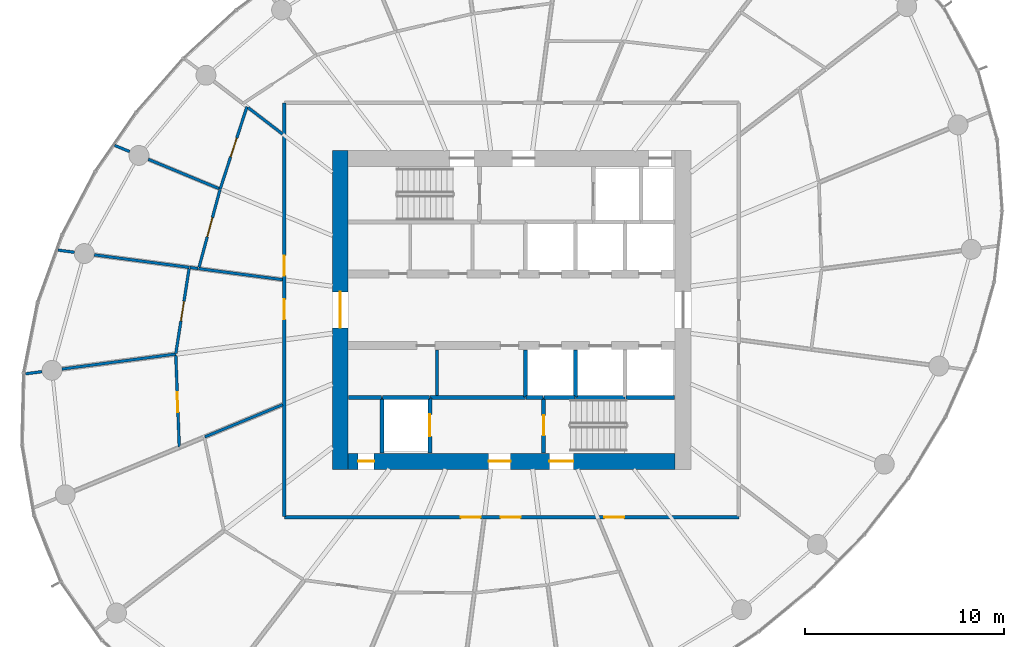
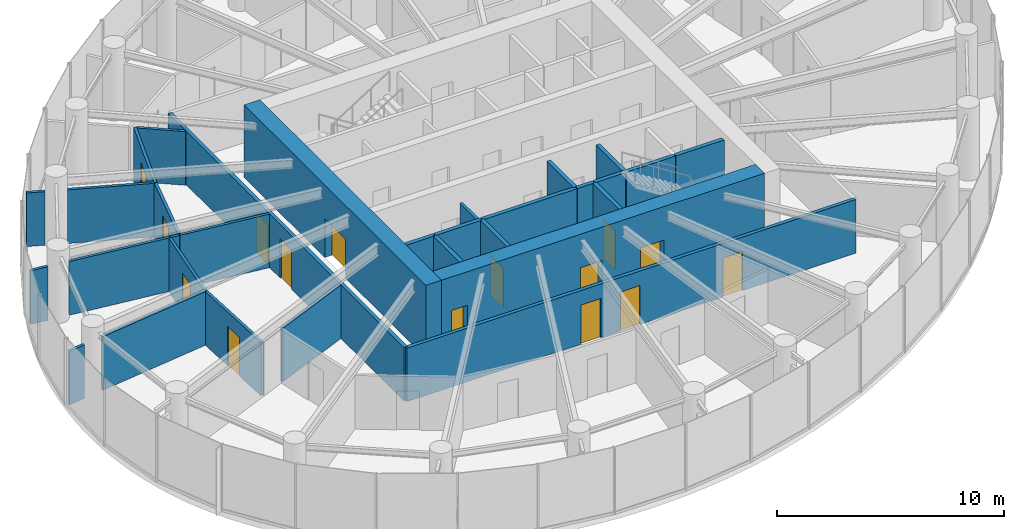
# One storey, part 9 of 15: 31 walls, 15 doors, 15 openings.
"""IFC4 building model written with IfcOpenShell, lengths in metres."""

from ifc_helpers import new_model, si_unit, direction, frame, frame_2d, origin, place, context, subcontext, project, spatial, rectangle, extrude, source, transform, mapped, material, layer, layer_set, type_object, element, fill, save


model = new_model("IFC4")

# Units and contexts
model_context = context("Model", 3, precision=1e-05, world=origin(), true_north=direction((0.0, 1.0)))
body_context = subcontext(model_context, "Body", "Model", "MODEL_VIEW")
ifc_project = project(units=[si_unit("LENGTHUNIT", "METRE"), si_unit("AREAUNIT", "SQUARE_METRE"), si_unit("VOLUMEUNIT", "CUBIC_METRE"), si_unit("PLANEANGLEUNIT", "RADIAN"), si_unit("MASSUNIT", "GRAM", prefix="KILO")], contexts=[model_context])

# Site, building, storey
site_placement = place(None, origin())
site = spatial("IfcSite", under=ifc_project, at=site_placement, CompositionType="ELEMENT")
building_placement = place(site_placement, origin())
building = spatial("IfcBuilding", under=site, at=building_placement, Name="Spindrift Exchange Tower", CompositionType="ELEMENT")
storey_placement = place(building_placement, frame((0.0, 0.0, 168.199951171875)))
storey = spatial("IfcBuildingStorey", under=building, at=storey_placement, Name="L40", CompositionType="ELEMENT", Elevation=168.199951171875)

# Wall, opening, door
ifc_material_1 = material(Name="Concrete 65 MPa", Category="concrete")
ifc_layer_1 = layer(ifc_material_1, 0.800048828125)
ifc_layer_set_1 = layer_set([ifc_layer_1], Name="RC Core Wall 800 Concrete 65 MPa")
wall_type_1 = type_object("IfcWallType", Name="RC Core Wall 800 Concrete 65 MPa", PredefinedType="SHEAR", material=ifc_layer_set_1)
wall_1_placement = place(storey_placement, frame((43.39990234375, 56.0, 0.0), z_axis=(0.0, 0.0, 1.0), x_axis=(0.0, -1.0, 0.0)))
wall_1 = element("IfcWall", 1, at=wall_1_placement, inside=storey, type_object=wall_type_1, Name="Core wall W L40", PredefinedType="SHEAR", context=body_context, shape_type="SweptSolid", body=[
    extrude(rectangle(XDim=16.0, YDim=0.800048828125, at=frame_2d((8.0, 0.0))), origin(), (0.0, 0.0, 1.0), 3.900146484375),
])
opening_1_placement = place(wall_1_placement, frame((7.10009765625, 0.0, 0.0)))
opening_1 = element("IfcOpeningElement", 2, at=opening_1_placement, cuts=wall_1, Name="Opening L40-D1", PredefinedType="OPENING", context=body_context, shape_type="SweptSolid", body=[
    extrude(rectangle(XDim=1.800048828125, YDim=2.10009765625, at=frame_2d((0.89990234375, 1.050048828125))), frame((0.0, 0.409912109375, 0.0), z_axis=(0.0, -1.0, 0.0), x_axis=(1.0, 0.0, 0.0)), (0.0, 0.0, 1.0), 0.820068359375),
])
ifc_material_2 = material(Name="Timber-core fire door", Category="wood")
door_type_1 = type_object("IfcDoorType", Name="DR-LOBBY-1800", OperationType="NOTDEFINED", PredefinedType="DOOR", material=ifc_material_2)
shared_shape_1 = source(origin(), body_context, "Body", "SweptSolid", [
    extrude(rectangle(XDim=1.800048828125, YDim=2.10009765625, at=frame_2d((0.89990234375, 1.050048828125))), frame((0.0, 0.02490234375, 0.0), z_axis=(0.0, -1.0, 0.0), x_axis=(1.0, 0.0, 0.0)), (0.0, 0.0, 1.0), 0.050048828125),
])
door_1_placement = place(opening_1_placement, origin())
door_1 = element("IfcDoor", 3, at=door_1_placement, inside=storey, type_object=door_type_1, Name="L40 Lobby door 1", OperationType="SINGLE_SWING_RIGHT", OverallHeight=2.10009765625, OverallWidth=1.800048828125, PredefinedType="DOOR", context=body_context, shape_type="MappedRepresentation", body=[
    mapped(shared_shape_1, transform((0.0, 0.0, 0.0), scale=1.0)),
])
fill(opening_1, door_1)

# Wall, openings, doors
wall_2_placement = place(storey_placement, frame((43.800048828125, 40.39990234375, 0.0), z_axis=(0.0, 0.0, 1.0), x_axis=(1.0, 0.0, 0.0)))
wall_2 = element("IfcWall", 4, at=wall_2_placement, inside=storey, type_object=wall_type_1, Name="Core wall S L40", PredefinedType="SHEAR", context=body_context, shape_type="SweptSolid", body=[
    extrude(rectangle(XDim=16.39990234375, YDim=0.800048828125, at=frame_2d((8.199951171875, 0.0))), origin(), (0.0, 0.0, 1.0), 3.900146484375),
])
opening_2_placement = place(wall_2_placement, frame((10.10009765625, 0.0, 0.0)))
opening_2 = element("IfcOpeningElement", 5, at=opening_2_placement, cuts=wall_2, Name="Opening L40-D15", PredefinedType="OPENING", context=body_context, shape_type="SweptSolid", body=[
    extrude(rectangle(XDim=1.199951171875, YDim=2.10009765625, at=frame_2d((0.60009765625, 1.050048828125))), frame((0.0, 0.409912109375, 0.0), z_axis=(0.0, -1.0, 0.0), x_axis=(1.0, 0.0, 0.0)), (0.0, 0.0, 1.0), 0.820068359375),
])
opening_3_placement = place(wall_2_placement, frame((7.050048828125, 0.0, 0.0)))
opening_3 = element("IfcOpeningElement", 6, at=opening_3_placement, cuts=wall_2, Name="Opening L40-D17", PredefinedType="OPENING", context=body_context, shape_type="SweptSolid", body=[
    extrude(rectangle(XDim=1.10009765625, YDim=2.10009765625, at=frame_2d((0.550048828125, 1.050048828125))), frame((0.0, 0.409912109375, 0.0), z_axis=(0.0, -1.0, 0.0), x_axis=(1.0, 0.0, 0.0)), (0.0, 0.0, 1.0), 0.820068359375),
])
opening_4_placement = place(wall_2_placement, frame((0.5, 0.0, 0.0)))
opening_4 = element("IfcOpeningElement", 7, at=opening_4_placement, cuts=wall_2, Name="Opening L40-D18", PredefinedType="OPENING", context=body_context, shape_type="SweptSolid", body=[
    extrude(rectangle(XDim=0.800048828125, YDim=2.10009765625, at=frame_2d((0.39990234375, 1.050048828125))), frame((0.0, 0.409912109375, 0.0), z_axis=(0.0, -1.0, 0.0), x_axis=(1.0, 0.0, 0.0)), (0.0, 0.0, 1.0), 0.820068359375),
])
ifc_material_3 = material(Name="Steel fire door", Category="steel")
door_type_2 = type_object("IfcDoorType", Name="DR-STAIR-1200", OperationType="NOTDEFINED", PredefinedType="DOOR", material=ifc_material_3)
shared_shape_2 = source(origin(), body_context, "Body", "SweptSolid", [
    extrude(rectangle(XDim=1.199951171875, YDim=2.10009765625, at=frame_2d((0.60009765625, 1.050048828125))), frame((0.0, 0.02490234375, 0.0), z_axis=(0.0, -1.0, 0.0), x_axis=(1.0, 0.0, 0.0)), (0.0, 0.0, 1.0), 0.050048828125),
])
door_2_placement = place(opening_2_placement, origin())
door_2 = element("IfcDoor", 8, at=door_2_placement, inside=storey, type_object=door_type_2, Name="L40 Stair door 15", OperationType="SINGLE_SWING_LEFT", OverallHeight=2.10009765625, OverallWidth=1.199951171875, PredefinedType="DOOR", context=body_context, shape_type="MappedRepresentation", body=[
    mapped(shared_shape_2, transform((0.0, 0.0, 0.0), scale=1.0)),
])
fill(opening_2, door_2)
door_type_3 = type_object("IfcDoorType", Name="DR-LOBBY-1100", OperationType="NOTDEFINED", PredefinedType="DOOR", material=ifc_material_2)
shared_shape_3 = source(origin(), body_context, "Body", "SweptSolid", [
    extrude(rectangle(XDim=1.10009765625, YDim=2.10009765625, at=frame_2d((0.550048828125, 1.050048828125))), frame((0.0, 0.02490234375, 0.0), z_axis=(0.0, -1.0, 0.0), x_axis=(1.0, 0.0, 0.0)), (0.0, 0.0, 1.0), 0.050048828125),
])
door_3_placement = place(opening_3_placement, origin())
door_3 = element("IfcDoor", 9, at=door_3_placement, inside=storey, type_object=door_type_3, Name="L40 Lobby door 17", OperationType="SINGLE_SWING_LEFT", OverallHeight=2.10009765625, OverallWidth=1.10009765625, PredefinedType="DOOR", context=body_context, shape_type="MappedRepresentation", body=[
    mapped(shared_shape_3, transform((0.0, 0.0, 0.0), scale=1.0)),
])
fill(opening_3, door_3)
ifc_material_4 = material(Name="Steel access door", Category="steel")
door_type_4 = type_object("IfcDoorType", Name="DR-RISER-800", OperationType="NOTDEFINED", PredefinedType="DOOR", material=ifc_material_4)
shared_shape_4 = source(origin(), body_context, "Body", "SweptSolid", [
    extrude(rectangle(XDim=0.800048828125, YDim=2.10009765625, at=frame_2d((0.39990234375, 1.050048828125))), frame((0.0, 0.02490234375, 0.0), z_axis=(0.0, -1.0, 0.0), x_axis=(1.0, 0.0, 0.0)), (0.0, 0.0, 1.0), 0.050048828125),
])
door_4_placement = place(opening_4_placement, origin())
door_4 = element("IfcDoor", 10, at=door_4_placement, inside=storey, type_object=door_type_4, Name="L40 Riser door 18", OperationType="SINGLE_SWING_RIGHT", OverallHeight=2.10009765625, OverallWidth=0.800048828125, PredefinedType="DOOR", context=body_context, shape_type="MappedRepresentation", body=[
    mapped(shared_shape_4, transform((0.0, 0.0, 0.0), scale=1.0)),
])
fill(opening_4, door_4)

ifc_material_5 = material(Name="Fire-rated plasterboard partition", Category="gypsum")
ifc_layer_2 = layer(ifc_material_5, 0.179931640625)
ifc_layer_set_2 = layer_set([ifc_layer_2], Name="W-CORR-180")
wall_type_2 = type_object("IfcWallType", Name="W-CORR-180", PredefinedType="PARTITIONING", material=ifc_layer_set_2)
wall_3_placement = place(storey_placement, frame((63.39990234375, 37.60009765625, 0.0), z_axis=(0.0, 0.0, 1.0), x_axis=(-1.0, 0.0, 0.0)))
wall_3 = element("IfcWall", 11, at=wall_3_placement, inside=storey, type_object=wall_type_2, Name="L40 Partition wall 28", PredefinedType="PARTITIONING", context=body_context, shape_type="SweptSolid", body=[
    extrude(rectangle(XDim=22.7998046875, YDim=0.179931640625, at=frame_2d((11.39990234375, 0.0))), origin(), (0.0, 0.0, 1.0), 2.880126953125),
])
opening_5_placement = place(wall_3_placement, frame((12.949951171875, 0.0, 0.0)))
opening_5 = element("IfcOpeningElement", 12, at=opening_5_placement, cuts=wall_3, Name="Opening L40-D33", PredefinedType="OPENING", context=body_context, shape_type="SweptSolid", body=[
    extrude(rectangle(XDim=1.0, YDim=2.10009765625, at=frame_2d((0.5, 1.050048828125))), frame((0.0, 0.099853515625, 0.0), z_axis=(0.0, -1.0, 0.0), x_axis=(1.0, 0.0, 0.0)), (0.0, 0.0, 1.0), 0.199951171875),
])
opening_6_placement = place(wall_3_placement, frame((10.949951171875, 0.0, 0.0)))
opening_6 = element("IfcOpeningElement", 13, at=opening_6_placement, cuts=wall_3, Name="Opening L40-D38", PredefinedType="OPENING", context=body_context, shape_type="SweptSolid", body=[
    extrude(rectangle(XDim=1.0, YDim=2.10009765625, at=frame_2d((0.5, 1.050048828125))), frame((0.0, 0.099853515625, 0.0), z_axis=(0.0, -1.0, 0.0), x_axis=(1.0, 0.0, 0.0)), (0.0, 0.0, 1.0), 0.199951171875),
])
opening_7_placement = place(wall_3_placement, frame((5.75, 0.0, 0.0)))
opening_7 = element("IfcOpeningElement", 14, at=opening_7_placement, cuts=wall_3, Name="Opening L40-D41", PredefinedType="OPENING", context=body_context, shape_type="SweptSolid", body=[
    extrude(rectangle(XDim=1.0, YDim=2.10009765625, at=frame_2d((0.5, 1.050048828125))), frame((0.0, 0.099853515625, 0.0), z_axis=(0.0, -1.0, 0.0), x_axis=(1.0, 0.0, 0.0)), (0.0, 0.0, 1.0), 0.199951171875),
])
door_type_5 = type_object("IfcDoorType", Name="DR-ROOM-1000", OperationType="NOTDEFINED", PredefinedType="DOOR", material=ifc_material_2)
shared_shape_5 = source(origin(), body_context, "Body", "SweptSolid", [
    extrude(rectangle(XDim=1.0, YDim=2.10009765625, at=frame_2d((0.5, 1.050048828125))), frame((0.0, 0.02490234375, 0.0), z_axis=(0.0, -1.0, 0.0), x_axis=(1.0, 0.0, 0.0)), (0.0, 0.0, 1.0), 0.050048828125),
])
door_5_placement = place(opening_5_placement, origin())
door_5 = element("IfcDoor", 15, at=door_5_placement, inside=storey, type_object=door_type_5, Name="L40 Door 33", OperationType="SINGLE_SWING_LEFT", OverallHeight=2.10009765625, OverallWidth=1.0, PredefinedType="DOOR", context=body_context, shape_type="MappedRepresentation", body=[
    mapped(shared_shape_5, transform((0.0, 0.0, 0.0), scale=1.0)),
])
fill(opening_5, door_5)
door_6_placement = place(opening_6_placement, origin())
door_6 = element("IfcDoor", 16, at=door_6_placement, inside=storey, type_object=door_type_5, Name="L40 Door 38", OperationType="SINGLE_SWING_RIGHT", OverallHeight=2.10009765625, OverallWidth=1.0, PredefinedType="DOOR", context=body_context, shape_type="MappedRepresentation", body=[
    mapped(shared_shape_5, transform((0.0, 0.0, 0.0), scale=1.0)),
])
fill(opening_6, door_6)
door_7_placement = place(opening_7_placement, origin())
door_7 = element("IfcDoor", 17, at=door_7_placement, inside=storey, type_object=door_type_5, Name="L40 Door 41", OperationType="SINGLE_SWING_LEFT", OverallHeight=2.10009765625, OverallWidth=1.0, PredefinedType="DOOR", context=body_context, shape_type="MappedRepresentation", body=[
    mapped(shared_shape_5, transform((0.0, 0.0, 0.0), scale=1.0)),
])
fill(opening_7, door_7)

wall_4_placement = place(storey_placement, frame((40.60009765625, 37.6298828125, 0.0), z_axis=(0.0, 0.0, 1.0), x_axis=(0.0, 1.0, 0.0)))
wall_4 = element("IfcWall", 18, at=wall_4_placement, inside=storey, type_object=wall_type_2, Name="L40 Partition wall 30", PredefinedType="PARTITIONING", context=body_context, shape_type="SweptSolid", body=[
    extrude(rectangle(XDim=20.740234375, YDim=0.179931640625, at=frame_2d((10.3701171875, 0.0))), origin(), (0.0, 0.0, 1.0), 2.880126953125),
])
opening_8_placement = place(wall_4_placement, frame((12.090087890625, 0.0, 0.0)))
opening_8 = element("IfcOpeningElement", 19, at=opening_8_placement, cuts=wall_4, Name="Opening L40-D27", PredefinedType="OPENING", context=body_context, shape_type="SweptSolid", body=[
    extrude(rectangle(XDim=1.0, YDim=2.10009765625, at=frame_2d((0.5, 1.050048828125))), frame((0.0, 0.099853515625, 0.0), z_axis=(0.0, -1.0, 0.0), x_axis=(1.0, 0.0, 0.0)), (0.0, 0.0, 1.0), 0.199951171875),
])
opening_9_placement = place(wall_4_placement, frame((9.889892578125, 0.0, 0.0)))
opening_9 = element("IfcOpeningElement", 20, at=opening_9_placement, cuts=wall_4, Name="Opening L40-D30", PredefinedType="OPENING", context=body_context, shape_type="SweptSolid", body=[
    extrude(rectangle(XDim=1.0, YDim=2.10009765625, at=frame_2d((0.5, 1.050048828125))), frame((0.0, 0.099853515625, 0.0), z_axis=(0.0, -1.0, 0.0), x_axis=(1.0, 0.0, 0.0)), (0.0, 0.0, 1.0), 0.199951171875),
])
door_8_placement = place(opening_8_placement, origin())
door_8 = element("IfcDoor", 21, at=door_8_placement, inside=storey, type_object=door_type_5, Name="L40 Door 27", OperationType="SINGLE_SWING_LEFT", OverallHeight=2.10009765625, OverallWidth=1.0, PredefinedType="DOOR", context=body_context, shape_type="MappedRepresentation", body=[
    mapped(shared_shape_5, transform((0.0, 0.0, 0.0), scale=1.0)),
])
fill(opening_8, door_8)
door_9_placement = place(opening_9_placement, origin())
door_9 = element("IfcDoor", 22, at=door_9_placement, inside=storey, type_object=door_type_5, Name="L40 Door 30", OperationType="SINGLE_SWING_RIGHT", OverallHeight=2.10009765625, OverallWidth=1.0, PredefinedType="DOOR", context=body_context, shape_type="MappedRepresentation", body=[
    mapped(shared_shape_5, transform((0.0, 0.0, 0.0), scale=1.0)),
])
fill(opening_9, door_9)

# Walls
ifc_layer_3 = layer(ifc_material_5, 0.139892578125)
ifc_layer_set_3 = layer_set([ifc_layer_3], Name="W-PART-140")
wall_type_3 = type_object("IfcWallType", Name="W-PART-140", PredefinedType="PARTITIONING", material=ifc_layer_set_3)
wall_5_placement = place(storey_placement, frame((35.147705078125, 45.78125, 0.0), z_axis=(0.0, 0.0, 1.0), x_axis=(-0.991450110542, -0.13048631463, 0.0)))
element("IfcWall", 23, at=wall_5_placement, inside=storey, type_object=wall_type_3, Name="L40 Partition wall 38", PredefinedType="PARTITIONING", context=body_context, shape_type="SweptSolid", body=[
    extrude(rectangle(XDim=5.759033203125, YDim=0.139892578125, at=frame_2d((2.87939453125, 0.0))), origin(), (0.0, 0.0, 1.0), 2.880126953125),
])
wall_6_placement = place(storey_placement, frame((35.82666015625, 50.12939453125, 0.0), z_axis=(0.0, 0.0, 1.0), x_axis=(-0.991450839052, 0.130480779208, 0.0)))
element("IfcWall", 24, at=wall_6_placement, inside=storey, type_object=wall_type_3, Name="L40 Partition wall 43", PredefinedType="PARTITIONING", context=body_context, shape_type="SweptSolid", body=[
    extrude(rectangle(XDim=4.80859375, YDim=0.139892578125, at=frame_2d((2.404296875, 0.0))), origin(), (0.0, 0.0, 1.0), 2.880126953125),
])

# Wall, opening, door
wall_7_placement = place(storey_placement, frame((35.32421875, 41.123046875, 0.0), z_axis=(0.0, 0.0, 1.0), x_axis=(-0.03785928554, 0.999283080262, 0.0)))
wall_7 = element("IfcWall", 25, at=wall_7_placement, inside=storey, type_object=wall_type_3, Name="L40 Partition wall 47", PredefinedType="PARTITIONING", context=body_context, shape_type="SweptSolid", body=[
    extrude(rectangle(XDim=4.59130859375, YDim=0.139892578125, at=frame_2d((2.295654296875, 0.0))), origin(), (0.0, 0.0, 1.0), 2.880126953125),
])
opening_10_placement = place(wall_7_placement, frame((1.7412109375, 0.0, 0.0)))
opening_10 = element("IfcOpeningElement", 26, at=opening_10_placement, cuts=wall_7, Name="Opening L40-D32", PredefinedType="OPENING", context=body_context, shape_type="SweptSolid", body=[
    extrude(rectangle(XDim=1.0, YDim=2.10009765625, at=frame_2d((0.5, 1.050048828125))), frame((0.0, 0.079833984375, 0.0), z_axis=(0.0, -1.0, 0.0), x_axis=(1.0, 0.0, 0.0)), (0.0, 0.0, 1.0), 0.159912109375),
])
door_10_placement = place(opening_10_placement, origin())
door_10 = element("IfcDoor", 27, at=door_10_placement, inside=storey, type_object=door_type_5, Name="L40 Door 32", OperationType="SINGLE_SWING_RIGHT", OverallHeight=2.10009765625, OverallWidth=1.0, PredefinedType="DOOR", context=body_context, shape_type="MappedRepresentation", body=[
    mapped(shared_shape_5, transform((0.0, 0.0, 0.0), scale=1.0)),
])
fill(opening_10, door_10)

wall_8_placement = place(storey_placement, frame((35.152099609375, 45.81103515625, 0.0), z_axis=(0.0, 0.0, 1.0), x_axis=(0.154356099054, 0.988015280593, 0.0)))
wall_8 = element("IfcWall", 28, at=wall_8_placement, inside=storey, type_object=wall_type_3, Name="L40 Partition wall 53", PredefinedType="PARTITIONING", context=body_context, shape_type="SweptSolid", body=[
    extrude(rectangle(XDim=4.300537109375, YDim=0.139892578125, at=frame_2d((2.150390625, 0.0))), origin(), (0.0, 0.0, 1.0), 2.880126953125),
])
opening_11_placement = place(wall_8_placement, frame((1.650634765625, 0.0, 0.0)))
opening_11 = element("IfcOpeningElement", 29, at=opening_11_placement, cuts=wall_8, Name="Opening L40-D31", PredefinedType="OPENING", context=body_context, shape_type="SweptSolid", body=[
    extrude(rectangle(XDim=1.0, YDim=2.10009765625, at=frame_2d((0.5, 1.050048828125))), frame((0.0, 0.079833984375, 0.0), z_axis=(0.0, -1.0, 0.0), x_axis=(1.0, 0.0, 0.0)), (0.0, 0.0, 1.0), 0.159912109375),
])
door_11_placement = place(opening_11_placement, origin())
door_11 = element("IfcDoor", 30, at=door_11_placement, inside=storey, type_object=door_type_5, Name="L40 Door 31", OperationType="SINGLE_SWING_LEFT", OverallHeight=2.10009765625, OverallWidth=1.0, PredefinedType="DOOR", context=body_context, shape_type="MappedRepresentation", body=[
    mapped(shared_shape_5, transform((0.0, 0.0, 0.0), scale=1.0)),
])
fill(opening_11, door_11)

# Wall
wall_9_placement = place(storey_placement, frame((40.510009765625, 43.24072265625, 0.0), z_axis=(0.0, 0.0, 1.0), x_axis=(-0.923873778324, -0.382697323908, 0.0)))
element("IfcWall", 31, at=wall_9_placement, inside=storey, type_object=wall_type_3, Name="L40 Partition wall 56", PredefinedType="PARTITIONING", context=body_context, shape_type="SweptSolid", body=[
    extrude(rectangle(XDim=4.22265625, YDim=0.139892578125, at=frame_2d((2.111328125, 0.0))), origin(), (0.0, 0.0, 1.0), 2.880126953125),
])

# Wall, opening, door
wall_10_placement = place(storey_placement, frame((37.375244140625, 54.057861328125, 0.0), z_axis=(0.0, 0.0, 1.0), x_axis=(0.309393484324, 0.950934104898, 0.0)))
wall_10 = element("IfcWall", 32, at=wall_10_placement, inside=storey, type_object=wall_type_3, Name="L40 Partition wall 57", PredefinedType="PARTITIONING", context=body_context, shape_type="SweptSolid", body=[
    extrude(rectangle(XDim=4.345458984375, YDim=0.139892578125, at=frame_2d((2.1728515625, 0.0))), origin(), (0.0, 0.0, 1.0), 2.880126953125),
])
opening_12_placement = place(wall_10_placement, frame((1.69580078125, 0.0, 0.0)))
opening_12 = element("IfcOpeningElement", 33, at=opening_12_placement, cuts=wall_10, Name="Opening L40-D28", PredefinedType="OPENING", context=body_context, shape_type="SweptSolid", body=[
    extrude(rectangle(XDim=1.0, YDim=2.10009765625, at=frame_2d((0.5, 1.050048828125))), frame((0.0, 0.079833984375, 0.0), z_axis=(0.0, -1.0, 0.0), x_axis=(1.0, 0.0, 0.0)), (0.0, 0.0, 1.0), 0.159912109375),
])
door_12_placement = place(opening_12_placement, origin())
door_12 = element("IfcDoor", 34, at=door_12_placement, inside=storey, type_object=door_type_5, Name="L40 Door 28", OperationType="SINGLE_SWING_RIGHT", OverallHeight=2.10009765625, OverallWidth=1.0, PredefinedType="DOOR", context=body_context, shape_type="MappedRepresentation", body=[
    mapped(shared_shape_5, transform((0.0, 0.0, 0.0), scale=1.0)),
])
fill(opening_12, door_12)

# Wall
wall_11_placement = place(storey_placement, frame((40.510009765625, 49.5126953125, 0.0), z_axis=(0.0, 0.0, 1.0), x_axis=(-0.991441382379, 0.13055261509, 0.0)))
element("IfcWall", 35, at=wall_11_placement, inside=storey, type_object=wall_type_3, Name="L40 Partition wall 59", PredefinedType="PARTITIONING", context=body_context, shape_type="SweptSolid", body=[
    extrude(rectangle(XDim=4.248779296875, YDim=0.139892578125, at=frame_2d((2.12451171875, 0.0))), origin(), (0.0, 0.0, 1.0), 2.880126953125),
])

# Wall, opening, door
wall_12_placement = place(storey_placement, frame((36.316162109375, 50.135498046875, 0.0), z_axis=(0.0, 0.0, 1.0), x_axis=(0.260683344338, 0.965424359536, 0.0)))
wall_12 = element("IfcWall", 36, at=wall_12_placement, inside=storey, type_object=wall_type_3, Name="L40 Partition wall 62", PredefinedType="PARTITIONING", context=body_context, shape_type="SweptSolid", body=[
    extrude(rectangle(XDim=4.03271484375, YDim=0.139892578125, at=frame_2d((2.016357421875, 0.0))), origin(), (0.0, 0.0, 1.0), 2.880126953125),
])
opening_13_placement = place(wall_12_placement, frame((1.5830078125, 0.0, 0.0)))
opening_13 = element("IfcOpeningElement", 37, at=opening_13_placement, cuts=wall_12, Name="Opening L40-D29", PredefinedType="OPENING", context=body_context, shape_type="SweptSolid", body=[
    extrude(rectangle(XDim=1.0, YDim=2.10009765625, at=frame_2d((0.5, 1.050048828125))), frame((0.0, 0.079833984375, 0.0), z_axis=(0.0, -1.0, 0.0), x_axis=(1.0, 0.0, 0.0)), (0.0, 0.0, 1.0), 0.159912109375),
])
door_13_placement = place(opening_13_placement, origin())
door_13 = element("IfcDoor", 38, at=door_13_placement, inside=storey, type_object=door_type_5, Name="L40 Door 29", OperationType="SINGLE_SWING_LEFT", OverallHeight=2.10009765625, OverallWidth=1.0, PredefinedType="DOOR", context=body_context, shape_type="MappedRepresentation", body=[
    mapped(shared_shape_5, transform((0.0, 0.0, 0.0), scale=1.0)),
])
fill(opening_13, door_13)

# Walls
wall_13_placement = place(storey_placement, frame((37.310302734375, 54.084716796875, 0.0), z_axis=(0.0, 0.0, 1.0), x_axis=(-0.923881045452, 0.382679779783, 0.0)))
element("IfcWall", 39, at=wall_13_placement, inside=storey, type_object=wall_type_3, Name="L40 Partition wall 67", PredefinedType="PARTITIONING", context=body_context, shape_type="SweptSolid", body=[
    extrude(rectangle(XDim=3.8349609375, YDim=0.139892578125, at=frame_2d((1.91748046875, 0.0))), origin(), (0.0, 0.0, 1.0), 2.880126953125),
])
wall_14_placement = place(storey_placement, frame((48.25, 43.699951171875, 0.0), z_axis=(0.0, 0.0, 1.0), x_axis=(0.0, 1.0, 0.0)))
element("IfcWall", 40, at=wall_14_placement, inside=storey, type_object=wall_type_3, Name="L40 Partition wall 80", PredefinedType="PARTITIONING", context=body_context, shape_type="SweptSolid", body=[
    extrude(rectangle(XDim=2.2900390625, YDim=0.139892578125, at=frame_2d((1.14501953125, 0.0))), origin(), (0.0, 0.0, 1.0), 2.880126953125),
])
wall_15_placement = place(storey_placement, frame((40.510009765625, 56.816650390625, 0.0), z_axis=(0.0, 0.0, 1.0), x_axis=(-0.793401046591, 0.608699251904, 0.0)))
element("IfcWall", 41, at=wall_15_placement, inside=storey, type_object=wall_type_3, Name="L40 Partition wall 82", PredefinedType="PARTITIONING", context=body_context, shape_type="SweptSolid", body=[
    extrude(rectangle(XDim=2.182373046875, YDim=0.139892578125, at=frame_2d((1.09130859375, 0.0))), origin(), (0.0, 0.0, 1.0), 2.880126953125),
])
wall_16_placement = place(storey_placement, frame((30.058837890625, 50.888671875, 0.0), z_axis=(0.0, 0.0, 1.0), x_axis=(-0.991457294924, 0.130431715243, 0.0)))
element("IfcWall", 42, at=wall_16_placement, inside=storey, type_object=wall_type_3, Name="L40 Partition wall 101", PredefinedType="PARTITIONING", context=body_context, shape_type="SweptSolid", body=[
    extrude(rectangle(XDim=0.8310546875, YDim=0.139892578125, at=frame_2d((0.41552734375, 0.0))), origin(), (0.0, 0.0, 1.0), 2.880126953125),
])
wall_17_placement = place(storey_placement, frame((28.43798828125, 44.89794921875, 0.0), z_axis=(0.0, 0.0, 1.0), x_axis=(-0.991448264879, -0.130500337426, 0.0)))
element("IfcWall", 43, at=wall_17_placement, inside=storey, type_object=wall_type_3, Name="L40 Partition wall 103", PredefinedType="PARTITIONING", context=body_context, shape_type="SweptSolid", body=[
    extrude(rectangle(XDim=0.826904296875, YDim=0.139892578125, at=frame_2d((0.41357421875, 0.0))), origin(), (0.0, 0.0, 1.0), 2.880126953125),
])
wall_18_placement = place(storey_placement, frame((32.833984375, 55.938720703125, 0.0), z_axis=(0.0, 0.0, 1.0), x_axis=(-0.923837792571, 0.382784185955, 0.0)))
element("IfcWall", 44, at=wall_18_placement, inside=storey, type_object=wall_type_3, Name="L40 Partition wall 105", PredefinedType="PARTITIONING", context=body_context, shape_type="SweptSolid", body=[
    extrude(rectangle(XDim=0.814453125, YDim=0.139892578125, at=frame_2d((0.4072265625, 0.0))), origin(), (0.0, 0.0, 1.0), 2.880126953125),
])
wall_19_placement = place(storey_placement, frame((36.267822265625, 50.0712890625, 0.0), z_axis=(0.0, 0.0, 1.0), x_axis=(-0.991508286842, 0.130043520114, 0.0)))
element("IfcWall", 45, at=wall_19_placement, inside=storey, type_object=wall_type_3, Name="L40 Partition wall 109", PredefinedType="PARTITIONING", context=body_context, shape_type="SweptSolid", body=[
    extrude(rectangle(XDim=0.414794921875, YDim=0.139892578125, at=frame_2d((0.20751953125, 0.0))), origin(), (0.0, 0.0, 1.0), 2.880126953125),
])
ifc_material_6 = material(Name="Concrete 40 MPa", Category="concrete")
ifc_layer_4 = layer(ifc_material_6, 0.199951171875)
ifc_layer_set_4 = layer_set([ifc_layer_4], Name="W-SHAFT-200")
wall_type_4 = type_object("IfcWallType", Name="W-SHAFT-200", PredefinedType="SOLIDWALL", material=ifc_layer_set_4)
wall_20_placement = place(storey_placement, frame((52.699951171875, 43.60009765625, 0.0), z_axis=(0.0, 0.0, 1.0), x_axis=(-1.0, 0.0, 0.0)))
element("IfcWall", 46, at=wall_20_placement, inside=storey, type_object=wall_type_4, Name="L40 Shaft wall 2", PredefinedType="SOLIDWALL", context=body_context, shape_type="SweptSolid", body=[
    extrude(rectangle(XDim=4.800048828125, YDim=0.199951171875, at=frame_2d((2.39990234375, 0.0))), origin(), (0.0, 0.0, 1.0), 3.580078125),
])
wall_21_placement = place(storey_placement, frame((45.5, 43.60009765625, 0.0), z_axis=(0.0, 0.0, 1.0), x_axis=(0.0, -1.0, 0.0)))
element("IfcWall", 47, at=wall_21_placement, inside=storey, type_object=wall_type_4, Name="L40 Shaft wall 3", PredefinedType="SOLIDWALL", context=body_context, shape_type="SweptSolid", body=[
    extrude(rectangle(XDim=2.780029296875, YDim=0.199951171875, at=frame_2d((1.39013671875, 0.0))), origin(), (0.0, 0.0, 1.0), 3.580078125),
])

# Wall, opening, door
wall_22_placement = place(storey_placement, frame((47.89990234375, 40.820068359375, 0.0), z_axis=(0.0, 0.0, 1.0), x_axis=(0.0, 1.0, 0.0)))
wall_22 = element("IfcWall", 48, at=wall_22_placement, inside=storey, type_object=wall_type_4, Name="L40 Shaft wall 4", PredefinedType="SOLIDWALL", context=body_context, shape_type="SweptSolid", body=[
    extrude(rectangle(XDim=2.75, YDim=0.199951171875, at=frame_2d((1.375, 0.0))), origin(), (0.0, 0.0, 1.0), 3.580078125),
])
opening_14_placement = place(wall_22_placement, frame((0.830078125, 0.0, 0.0)))
opening_14 = element("IfcOpeningElement", 49, at=opening_14_placement, cuts=wall_22, Name="Opening L40-D10", PredefinedType="OPENING", context=body_context, shape_type="SweptSolid", body=[
    extrude(rectangle(XDim=1.10009765625, YDim=2.10009765625, at=frame_2d((0.550048828125, 1.050048828125))), frame((0.0, 0.10986328125, 0.0), z_axis=(0.0, -1.0, 0.0), x_axis=(1.0, 0.0, 0.0)), (0.0, 0.0, 1.0), 0.219970703125),
])
ifc_material_7 = material(Name="Stainless steel landing door", Category="steel")
door_type_6 = type_object("IfcDoorType", Name="DR-LANDING-1100-SL", OperationType="DOUBLE_DOOR_SLIDING", PredefinedType="USERDEFINED", material=ifc_material_7)
shared_shape_6 = source(origin(), body_context, "Body", "SweptSolid", [
    extrude(rectangle(XDim=1.10009765625, YDim=2.10009765625, at=frame_2d((0.550048828125, 1.050048828125))), frame((0.0, 0.02490234375, 0.0), z_axis=(0.0, -1.0, 0.0), x_axis=(1.0, 0.0, 0.0)), (0.0, 0.0, 1.0), 0.050048828125),
])
door_14_placement = place(opening_14_placement, origin())
door_14 = element("IfcDoor", 50, at=door_14_placement, inside=storey, type_object=door_type_6, Name="L40 Lift landing door 10", ObjectType="LANDING DOOR", OperationType="DOUBLE_DOOR_SLIDING", OverallHeight=2.10009765625, OverallWidth=1.10009765625, PredefinedType="USERDEFINED", context=body_context, shape_type="MappedRepresentation", body=[
    mapped(shared_shape_6, transform((0.0, 0.0, 0.0), scale=1.0)),
])
fill(opening_14, door_14)

# Walls
wall_23_placement = place(storey_placement, frame((47.8701171875, 43.60009765625, 0.0), z_axis=(0.0, 0.0, 1.0), x_axis=(-1.0, 0.0, 0.0)))
element("IfcWall", 51, at=wall_23_placement, inside=storey, type_object=wall_type_4, Name="L40 Shaft wall 12", PredefinedType="SOLIDWALL", context=body_context, shape_type="SweptSolid", body=[
    extrude(rectangle(XDim=2.340087890625, YDim=0.199951171875, at=frame_2d((1.169921875, 0.0))), origin(), (0.0, 0.0, 1.0), 3.580078125),
])
wall_24_placement = place(storey_placement, frame((52.699951171875, 45.989990234375, 0.0), z_axis=(0.0, 0.0, 1.0), x_axis=(0.0, -1.0, 0.0)))
element("IfcWall", 52, at=wall_24_placement, inside=storey, type_object=wall_type_4, Name="L40 Shaft wall 13", PredefinedType="SOLIDWALL", context=body_context, shape_type="SweptSolid", body=[
    extrude(rectangle(XDim=2.360107421875, YDim=0.199951171875, at=frame_2d((1.18017578125, 0.0))), origin(), (0.0, 0.0, 1.0), 3.580078125),
])
wall_25_placement = place(storey_placement, frame((45.469970703125, 43.60009765625, 0.0), z_axis=(0.0, 0.0, 1.0), x_axis=(-1.0, 0.0, 0.0)))
element("IfcWall", 53, at=wall_25_placement, inside=storey, type_object=wall_type_4, Name="L40 Shaft wall 20", PredefinedType="SOLIDWALL", context=body_context, shape_type="SweptSolid", body=[
    extrude(rectangle(XDim=1.64990234375, YDim=0.199951171875, at=frame_2d((0.824951171875, 0.0))), origin(), (0.0, 0.0, 1.0), 3.580078125),
])

# Wall, opening, door
ifc_layer_5 = layer(ifc_material_6, 0.199951171875)
ifc_layer_set_5 = layer_set([ifc_layer_5], Name="W-SHAFT-200-LB")
wall_type_5 = type_object("IfcWallType", Name="W-SHAFT-200-LB", PredefinedType="SOLIDWALL", material=ifc_layer_set_5)
wall_26_placement = place(storey_placement, frame((53.60009765625, 43.60009765625, 0.0), z_axis=(0.0, 0.0, 1.0), x_axis=(0.0, -1.0, 0.0)))
wall_26 = element("IfcWall", 54, at=wall_26_placement, inside=storey, type_object=wall_type_5, Name="L40 Shaft wall 6", PredefinedType="SOLIDWALL", context=body_context, shape_type="SweptSolid", body=[
    extrude(rectangle(XDim=2.780029296875, YDim=0.199951171875, at=frame_2d((1.39013671875, 0.0))), origin(), (0.0, 0.0, 1.0), 3.580078125),
])
opening_15_placement = place(wall_26_placement, frame((0.89990234375, 0.0, 0.0)))
opening_15 = element("IfcOpeningElement", 55, at=opening_15_placement, cuts=wall_26, Name="Opening L40-D16", PredefinedType="OPENING", context=body_context, shape_type="SweptSolid", body=[
    extrude(rectangle(XDim=1.0, YDim=2.10009765625, at=frame_2d((0.5, 1.050048828125))), frame((0.0, 0.10986328125, 0.0), z_axis=(0.0, -1.0, 0.0), x_axis=(1.0, 0.0, 0.0)), (0.0, 0.0, 1.0), 0.219970703125),
])
door_type_7 = type_object("IfcDoorType", Name="DR-STAIR-1000", OperationType="NOTDEFINED", PredefinedType="DOOR", material=ifc_material_3)
shared_shape_7 = source(origin(), body_context, "Body", "SweptSolid", [
    extrude(rectangle(XDim=1.0, YDim=2.10009765625, at=frame_2d((0.5, 1.050048828125))), frame((0.0, 0.02490234375, 0.0), z_axis=(0.0, -1.0, 0.0), x_axis=(1.0, 0.0, 0.0)), (0.0, 0.0, 1.0), 0.050048828125),
])
door_15_placement = place(opening_15_placement, origin())
door_15 = element("IfcDoor", 56, at=door_15_placement, inside=storey, type_object=door_type_7, Name="L40 Stair door 16", OperationType="SINGLE_SWING_RIGHT", OverallHeight=2.10009765625, OverallWidth=1.0, PredefinedType="DOOR", context=body_context, shape_type="MappedRepresentation", body=[
    mapped(shared_shape_7, transform((0.0, 0.0, 0.0), scale=1.0)),
])
fill(opening_15, door_15)

# Walls
wall_27_placement = place(storey_placement, frame((55.199951171875, 43.60009765625, 0.0), z_axis=(0.0, 0.0, 1.0), x_axis=(1.0, 0.0, 0.0)))
element("IfcWall", 57, at=wall_27_placement, inside=storey, type_object=wall_type_5, Name="L40 Shaft wall 10", PredefinedType="SOLIDWALL", context=body_context, shape_type="SweptSolid", body=[
    extrude(rectangle(XDim=2.5, YDim=0.199951171875, at=frame_2d((1.25, 0.0))), origin(), (0.0, 0.0, 1.0), 3.580078125),
])
wall_28_placement = place(storey_placement, frame((57.72998046875, 43.60009765625, 0.0), z_axis=(0.0, 0.0, 1.0), x_axis=(1.0, 0.0, 0.0)))
element("IfcWall", 58, at=wall_28_placement, inside=storey, type_object=wall_type_5, Name="L40 Shaft wall 11", PredefinedType="SOLIDWALL", context=body_context, shape_type="SweptSolid", body=[
    extrude(rectangle(XDim=2.449951171875, YDim=0.199951171875, at=frame_2d((1.22509765625, 0.0))), origin(), (0.0, 0.0, 1.0), 3.580078125),
])
wall_29_placement = place(storey_placement, frame((55.199951171875, 43.6298828125, 0.0), z_axis=(0.0, 0.0, 1.0), x_axis=(0.0, 1.0, 0.0)))
element("IfcWall", 59, at=wall_29_placement, inside=storey, type_object=wall_type_5, Name="L40 Shaft wall 15", PredefinedType="SOLIDWALL", context=body_context, shape_type="SweptSolid", body=[
    extrude(rectangle(XDim=2.360107421875, YDim=0.199951171875, at=frame_2d((1.18017578125, 0.0))), origin(), (0.0, 0.0, 1.0), 3.580078125),
])
wall_30_placement = place(storey_placement, frame((53.6298828125, 43.60009765625, 0.0), z_axis=(0.0, 0.0, 1.0), x_axis=(1.0, 0.0, 0.0)))
element("IfcWall", 60, at=wall_30_placement, inside=storey, type_object=wall_type_5, Name="L40 Shaft wall 22", PredefinedType="SOLIDWALL", context=body_context, shape_type="SweptSolid", body=[
    extrude(rectangle(XDim=1.5400390625, YDim=0.199951171875, at=frame_2d((0.77001953125, 0.0))), origin(), (0.0, 0.0, 1.0), 3.580078125),
])
wall_31_placement = place(storey_placement, frame((52.72998046875, 43.60009765625, 0.0), z_axis=(0.0, 0.0, 1.0), x_axis=(1.0, 0.0, 0.0)))
element("IfcWall", 61, at=wall_31_placement, inside=storey, type_object=wall_type_5, Name="L40 Shaft wall 24", PredefinedType="SOLIDWALL", context=body_context, shape_type="SweptSolid", body=[
    extrude(rectangle(XDim=0.840087890625, YDim=0.199951171875, at=frame_2d((0.419921875, 0.0))), origin(), (0.0, 0.0, 1.0), 3.580078125),
])

save(model, "model.ifc")
